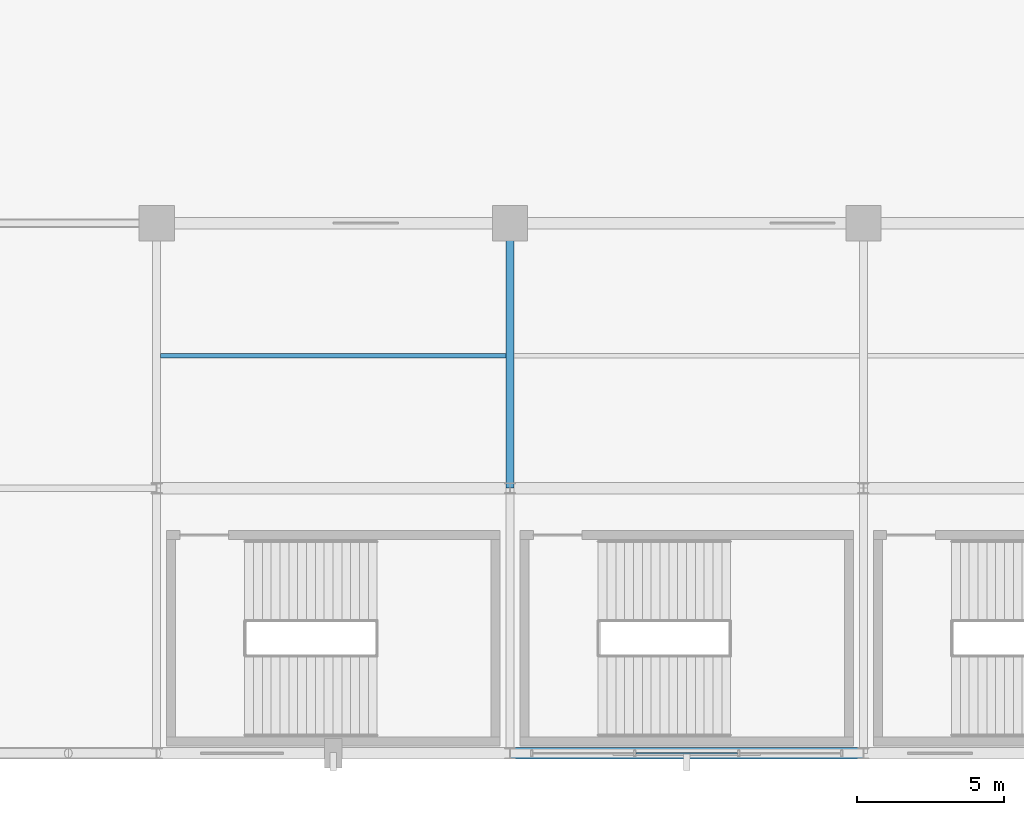
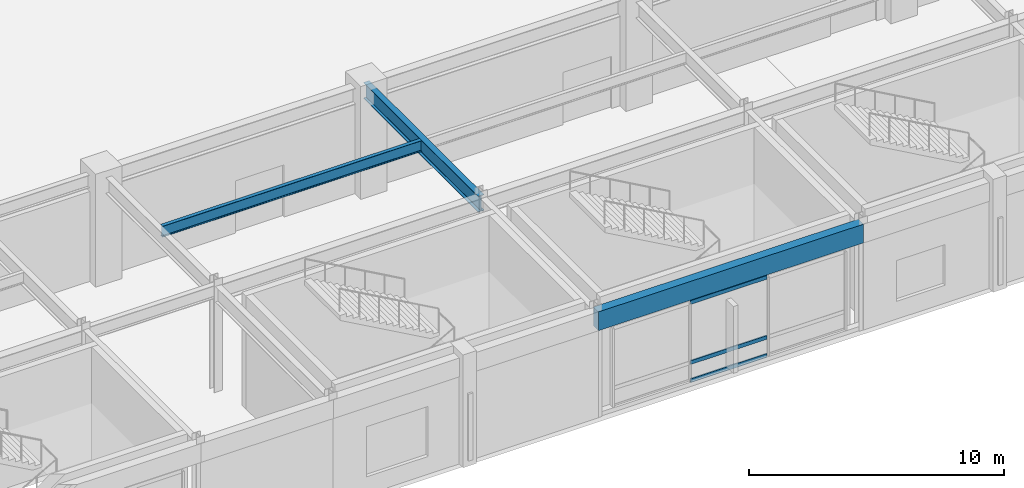
# One storey, part 24 of 100: 3 beams, 3 members, 1 element without a shape of its own.
"""IFC4 building model written with IfcOpenShell, lengths in metres."""

from ifc_helpers import new_model, si_unit, direction, frame, origin, origin_2d, place, context, subcontext, project, spatial, rectangle, hollow_rectangle, i_section, extrude, material, material_profile, profile_set, type_object, element, aggregate, save


model = new_model("IFC4")

# Units and contexts
model_context = context("Model", 3, precision=1e-05, world=origin(), true_north=direction((0.0, 1.0)))
body_context = subcontext(model_context, "Body", "Model", "MODEL_VIEW")
ifc_project = project(units=[si_unit("LENGTHUNIT", "METRE"), si_unit("AREAUNIT", "SQUARE_METRE"), si_unit("VOLUMEUNIT", "CUBIC_METRE"), si_unit("PLANEANGLEUNIT", "RADIAN"), si_unit("MASSUNIT", "GRAM", prefix="KILO")], contexts=[model_context])

# Site, building, storey
site_placement = place(None, origin())
site = spatial("IfcSite", under=ifc_project, at=site_placement, CompositionType="ELEMENT")
building_placement = place(site_placement, origin())
building = spatial("IfcBuilding", under=site, at=building_placement, Name="Kaldorvane Square Convention Centre", CompositionType="ELEMENT")
storey_placement = place(building_placement, frame((0.0, 0.0, 18.0)))
storey = spatial("IfcBuildingStorey", under=building, at=storey_placement, Name="L03", CompositionType="ELEMENT", Elevation=18.0)

# Beams
ifc_material_1 = material(Name="Steel ASTM A992 Gr. 50", Category="steel")
ifc_material_profile_1 = material_profile(ifc_material_1, i_section(OverallWidth=0.2666015625, OverallDepth=0.762298583984375, WebThickness=0.014404296875, FlangeThickness=0.0216064453125, FilletRadius=0.0164947509765625, at=origin_2d()), Name="W30X116")
ifc_profile_set_1 = profile_set([ifc_material_profile_1], Name="Steel ASTM A992 Gr. 50")
beam_type_1 = type_object("IfcBeamType", Name="BM-GR-W30X116", PredefinedType="BEAM", material=ifc_profile_set_1)
beam_1_placement = place(storey_placement, frame((42.0, 9.0, 4.694793701171875), z_axis=(0.0, 1.0, 0.0), x_axis=(-1.0, 0.0, 0.0)))
element("IfcBeam", 1, at=beam_1_placement, inside=storey, type_object=beam_type_1, Name="Transverse Girder (L03)", PredefinedType="BEAM", context=body_context, shape_type="SweptSolid", body=[
    extrude(i_section(OverallWidth=0.2666015625, OverallDepth=0.762298583984375, WebThickness=0.014404296875, FlangeThickness=0.0216064453125, FilletRadius=0.0164947509765625, at=origin_2d()), origin(), (0.0, 0.0, 1.0), 9.0),
])
ifc_material_profile_2 = material_profile(ifc_material_1, i_section(OverallWidth=0.1658935546875, OverallDepth=0.5290985107421875, WebThickness=0.00970458984375, FlangeThickness=0.0135955810546875, FilletRadius=0.0126953125, at=origin_2d()), Name="W21X50")
ifc_profile_set_2 = profile_set([ifc_material_profile_2], Name="Steel ASTM A992 Gr. 50")
beam_type_2 = type_object("IfcBeamType", Name="BM-JS-W21X50", PredefinedType="JOIST", material=ifc_profile_set_2)
beam_2_placement = place(storey_placement, frame((30.13330078125, 13.5, 4.8114013671875), z_axis=(1.0, 0.0, 0.0), x_axis=(0.0, 1.0, 0.0)))
element("IfcBeam", 2, at=beam_2_placement, inside=storey, type_object=beam_type_2, Name="Secondary Floor Joist (L03)", PredefinedType="JOIST", context=body_context, shape_type="SweptSolid", body=[
    extrude(i_section(OverallWidth=0.1658935546875, OverallDepth=0.5290985107421875, WebThickness=0.00970458984375, FlangeThickness=0.0135955810546875, FilletRadius=0.0126953125, at=origin_2d()), origin(), (0.0, 0.0, 1.0), 11.7333984375),
])
ifc_material_2 = material(Name="Concrete f'c = 42 MPa (Normalweight)", Category="concrete")
ifc_material_profile_3 = material_profile(ifc_material_2, rectangle(XDim=0.399993896484375, YDim=0.899993896484375, at=origin_2d()), Name="RCSP900X400")
ifc_profile_set_3 = profile_set([ifc_material_profile_3], Name="Concrete f'c = 42 MPa (Normalweight)")
beam_type_3 = type_object("IfcBeamType", Name="BM-SP-RC900", PredefinedType="SPANDREL", material=ifc_profile_set_3)
beam_3_placement = place(storey_placement, frame((42.0, 0.0, 4.626007080078125), z_axis=(1.0, 0.0, 0.0), x_axis=(0.0, 1.0, 0.0)))
element("IfcBeam", 3, at=beam_3_placement, inside=storey, type_object=beam_type_3, Name="Perimeter Spandrel (L03)", PredefinedType="SPANDREL", context=body_context, shape_type="SweptSolid", body=[
    extrude(rectangle(XDim=0.399993896484375, YDim=0.899993896484375, at=origin_2d()), origin(), (0.0, 0.0, 1.0), 12.0),
])

# Curtain wall, members
ifc_material_3 = material(Name="Anodized Aluminum and Low-E Insulated Glazing", Category="aluminium")
curtain_wall_type = type_object("IfcCurtainWallType", Name="CW-UNI-P54-12", PredefinedType="USERDEFINED", material=ifc_material_3)
curtain_wall_placement = place(storey_placement, origin())
curtain_wall = element("IfcCurtainWall", 4, at=curtain_wall_placement, inside=storey, type_object=curtain_wall_type, Name="Curtain Wall CW-03 (L03)", ObjectType="UNITISED GLAZING", PredefinedType="USERDEFINED")
ifc_material_profile_4 = material_profile(ifc_material_3, hollow_rectangle(XDim=0.06500244140625, YDim=0.17999267578125, WallThickness=0.0034942626953125, at=origin_2d()), Name="CWT-180X65")
ifc_profile_set_4 = profile_set([ifc_material_profile_4], Name="Anodized Aluminum and Low-E Insulated Glazing")
member_type = type_object("IfcMemberType", Name="CW-TRN-180", PredefinedType="USERDEFINED", material=ifc_profile_set_4)
member_1_placement = place(storey_placement, frame((46.27082824707031, 0.0, 0.1824951171875), z_axis=(1.0, 0.0, 0.0), x_axis=(0.0, 1.0, 0.0)))
member_1 = element("IfcMember", 5, at=member_1_placement, type_object=member_type, Name="CW-03 transom 2.1", ObjectType="TRANSOM", PredefinedType="USERDEFINED", context=body_context, shape_type="SweptSolid", body=[
    extrude(hollow_rectangle(XDim=0.06500244140625, YDim=0.17999267578125, WallThickness=0.0034942626953125, at=origin_2d()), origin(), (0.0, 0.0, 1.0), 3.458343505859375),
])
member_2_placement = place(storey_placement, frame((46.27082824707031, 0.0, 1.0500030517578125), z_axis=(1.0, 0.0, 0.0), x_axis=(0.0, 1.0, 0.0)))
member_2 = element("IfcMember", 6, at=member_2_placement, type_object=member_type, Name="CW-03 transom 2.2", ObjectType="TRANSOM", PredefinedType="USERDEFINED", context=body_context, shape_type="SweptSolid", body=[
    extrude(hollow_rectangle(XDim=0.06500244140625, YDim=0.17999267578125, WallThickness=0.0034942626953125, at=origin_2d()), origin(), (0.0, 0.0, 1.0), 3.458343505859375),
])
member_3_placement = place(storey_placement, frame((46.27082824707031, 0.0, 3.9275054931640625), z_axis=(1.0, 0.0, 0.0), x_axis=(0.0, 1.0, 0.0)))
member_3 = element("IfcMember", 7, at=member_3_placement, type_object=member_type, Name="CW-03 transom 2.3", ObjectType="TRANSOM", PredefinedType="USERDEFINED", context=body_context, shape_type="SweptSolid", body=[
    extrude(hollow_rectangle(XDim=0.06500244140625, YDim=0.17999267578125, WallThickness=0.0034942626953125, at=origin_2d()), origin(), (0.0, 0.0, 1.0), 3.458343505859375),
])
aggregate(curtain_wall, [member_1, member_2, member_3])

save(model, "model.ifc")
